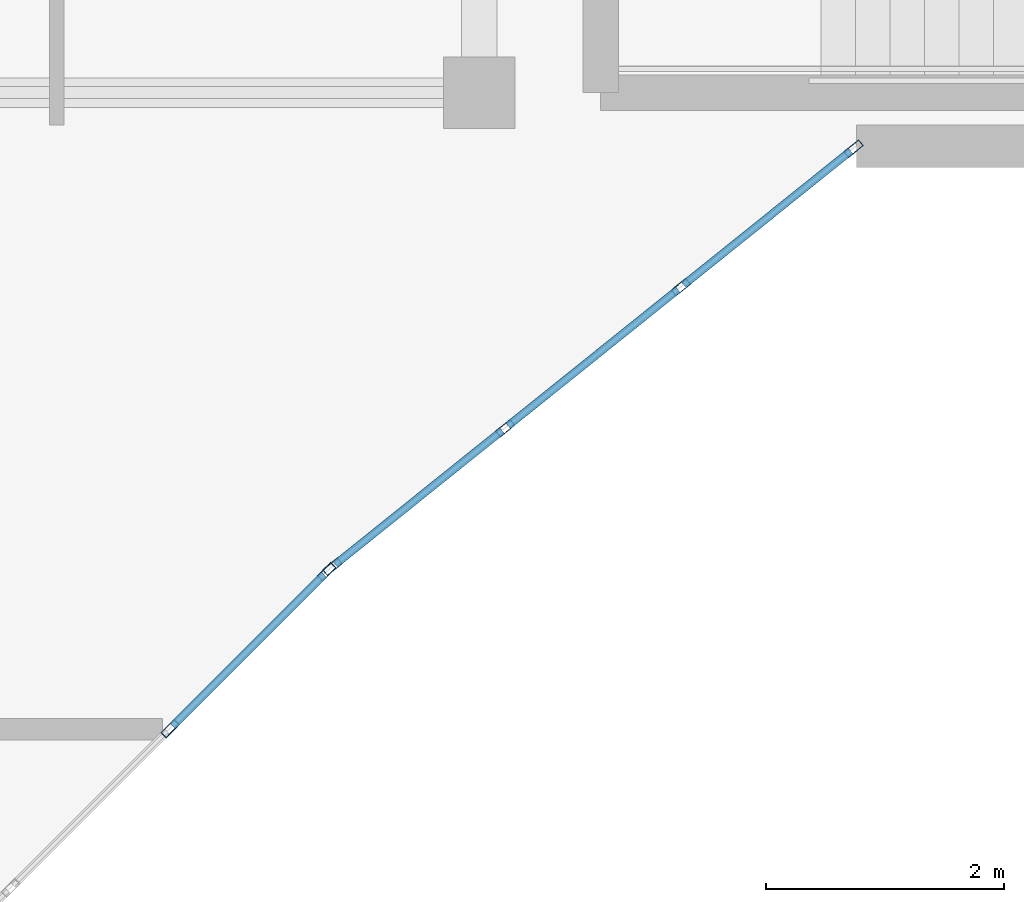
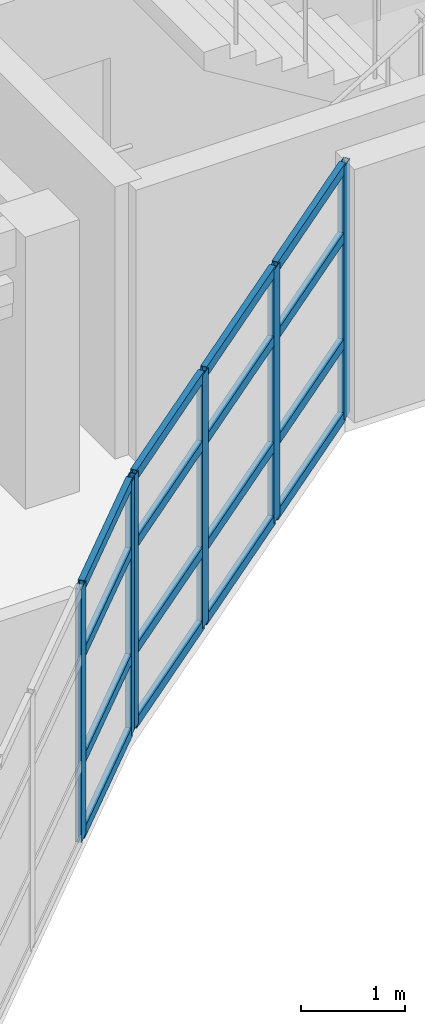
# One storey, part 15 of 79: 22 members, 2 elements without a shape of their own.
"""IFC4 building model written with IfcOpenShell, lengths in metres."""

from ifc_helpers import new_model, si_unit, direction, frame, origin, origin_2d, place, context, subcontext, project, spatial, hollow_rectangle, extrude, material, layer, layer_set, material_profile, profile_set, type_object, element, aggregate, save


model = new_model("IFC4")

# Units and contexts
model_context = context("Model", 3, precision=1e-05, world=origin(), true_north=direction((0.0, 1.0)))
body_context = subcontext(model_context, "Body", "Model", "MODEL_VIEW")
ifc_project = project(units=[si_unit("LENGTHUNIT", "METRE"), si_unit("AREAUNIT", "SQUARE_METRE"), si_unit("VOLUMEUNIT", "CUBIC_METRE"), si_unit("PLANEANGLEUNIT", "RADIAN"), si_unit("MASSUNIT", "GRAM", prefix="KILO")], contexts=[model_context])

# Site, building, storey
site_placement = place(None, origin())
site = spatial("IfcSite", under=ifc_project, at=site_placement, CompositionType="ELEMENT")
building_placement = place(site_placement, origin())
building = spatial("IfcBuilding", under=site, at=building_placement, Name="Keldmere Railside Commons", CompositionType="ELEMENT")
storey_placement = place(building_placement, frame((0.0, 0.0, 10.56005859375)))
storey = spatial("IfcBuildingStorey", under=building, at=storey_placement, Name="L03", CompositionType="ELEMENT", Elevation=10.56005859375)

# Curtain wall, members
ifc_material = material(Name="Thermally Broken Aluminium", Category="aluminium")
ifc_layer_1 = layer(ifc_material, 0.159912109375, Name="Court Chord Wintergarden CW 5400x2850")
ifc_layer_set_1 = layer_set([ifc_layer_1], Name="Thermally Broken Aluminium")
curtain_wall_type_1 = type_object("IfcCurtainWallType", Name="Court Chord Wintergarden CW 5400x2850", PredefinedType="NOTDEFINED", material=ifc_layer_set_1)
curtain_wall_1_placement = place(storey_placement, origin())
curtain_wall_1 = element("IfcCurtainWall", 1, at=curtain_wall_1_placement, inside=storey, type_object=curtain_wall_type_1, Name="CW-13 CW-L03-044", PredefinedType="NOTDEFINED")
ifc_material_profile_1 = material_profile(ifc_material, hollow_rectangle(XDim=0.06494140625, YDim=0.159912109375, WallThickness=0.00390625, at=origin_2d()), Name="ALU-MULL-65x160")
ifc_profile_set_1 = profile_set([ifc_material_profile_1], Name="Thermally Broken Aluminium")
member_type_1 = type_object("IfcMemberType", Name="Unitised Curtain Wall Mullion 65x160", PredefinedType="MULLION", material=ifc_profile_set_1)
member_1_placement = place(storey_placement, frame((71.547119140625, 96.423095703125, 0.0), z_axis=(0.0, 0.0, 1.0), x_axis=(0.707106781187, -0.707106781187, 0.0)))
member_1 = element("IfcMember", 2, at=member_1_placement, type_object=member_type_1, Name="CW-13 mullion 1", PredefinedType="MULLION", context=body_context, shape_type="SweptSolid", body=[
    extrude(hollow_rectangle(XDim=0.06494140625, YDim=0.159912109375, WallThickness=0.00390625, at=origin_2d()), origin(), (0.0, 0.0, 1.0), 2.97998046875),
])
member_2_placement = place(storey_placement, frame((70.2314453125, 95.107421875, 0.0), z_axis=(0.0, 0.0, 1.0), x_axis=(0.707106781187, -0.707106781187, 0.0)))
member_2 = element("IfcMember", 3, at=member_2_placement, type_object=member_type_1, Name="CW-13 mullion 2", PredefinedType="MULLION", context=body_context, shape_type="SweptSolid", body=[
    extrude(hollow_rectangle(XDim=0.06494140625, YDim=0.159912109375, WallThickness=0.00390625, at=origin_2d()), origin(), (0.0, 0.0, 1.0), 2.97998046875),
])

ifc_layer_2 = layer(ifc_material, 0.159912109375, Name="Court Chord Wintergarden CW 4800x2850")
ifc_layer_set_2 = layer_set([ifc_layer_2], Name="Thermally Broken Aluminium")
curtain_wall_type_2 = type_object("IfcCurtainWallType", Name="Court Chord Wintergarden CW 4800x2850", PredefinedType="NOTDEFINED", material=ifc_layer_set_2)
curtain_wall_2_placement = place(storey_placement, origin())
curtain_wall_2 = element("IfcCurtainWall", 4, at=curtain_wall_2_placement, inside=storey, type_object=curtain_wall_type_2, Name="CW-12 CW-L03-045", PredefinedType="NOTDEFINED")
member_3_placement = place(storey_placement, frame((75.974609375, 99.979736328125, 0.0), z_axis=(0.0, 0.0, 1.0), x_axis=(0.625768080915, -0.780009172323, 0.0)))
member_3 = element("IfcMember", 5, at=member_3_placement, type_object=member_type_1, Name="CW-12 mullion 1", PredefinedType="MULLION", context=body_context, shape_type="SweptSolid", body=[
    extrude(hollow_rectangle(XDim=0.06494140625, YDim=0.159912109375, WallThickness=0.00390625, at=origin_2d()), origin(), (0.0, 0.0, 1.0), 2.97998046875),
])
member_4_placement = place(storey_placement, frame((74.5234375, 98.8154296875, 0.0), z_axis=(0.0, 0.0, 1.0), x_axis=(0.625768080915, -0.780009172323, 0.0)))
member_4 = element("IfcMember", 6, at=member_4_placement, type_object=member_type_1, Name="CW-12 mullion 2", PredefinedType="MULLION", context=body_context, shape_type="SweptSolid", body=[
    extrude(hollow_rectangle(XDim=0.06494140625, YDim=0.159912109375, WallThickness=0.00390625, at=origin_2d()), origin(), (0.0, 0.0, 1.0), 2.97998046875),
])
member_5_placement = place(storey_placement, frame((73.046630859375, 97.630615234375, 0.0), z_axis=(0.0, 0.0, 1.0), x_axis=(0.625768080915, -0.780009172323, 0.0)))
member_5 = element("IfcMember", 7, at=member_5_placement, type_object=member_type_1, Name="CW-12 mullion 3", PredefinedType="MULLION", context=body_context, shape_type="SweptSolid", body=[
    extrude(hollow_rectangle(XDim=0.06494140625, YDim=0.159912109375, WallThickness=0.00390625, at=origin_2d()), origin(), (0.0, 0.0, 1.0), 2.97998046875),
])
member_6_placement = place(storey_placement, frame((71.595458984375, 96.46630859375, 0.0), z_axis=(0.0, 0.0, 1.0), x_axis=(0.625768080915, -0.780009172323, 0.0)))
member_6 = element("IfcMember", 8, at=member_6_placement, type_object=member_type_1, Name="CW-12 mullion 4", PredefinedType="MULLION", context=body_context, shape_type="SweptSolid", body=[
    extrude(hollow_rectangle(XDim=0.06494140625, YDim=0.159912109375, WallThickness=0.00390625, at=origin_2d()), origin(), (0.0, 0.0, 1.0), 2.97998046875),
])

# Member
ifc_material_profile_2 = material_profile(ifc_material, hollow_rectangle(XDim=0.06494140625, YDim=0.1201171875, WallThickness=0.00390625, at=origin_2d()), Name="ALU-TRAN-65x120")
ifc_profile_set_2 = profile_set([ifc_material_profile_2], Name="Thermally Broken Aluminium")
member_type_2 = type_object("IfcMemberType", Name="Unitised Curtain Wall Transom 65x120", PredefinedType="USERDEFINED", material=ifc_profile_set_2)
member_7_placement = place(storey_placement, frame((71.52392578125, 96.400146484375, 0.032470703125), z_axis=(-0.707038793419, -0.707174762418, 0.0), x_axis=(0.707174762418, -0.707038793419, 0.0)))
member_7 = element("IfcMember", 9, at=member_7_placement, type_object=member_type_2, Name="CW-13 transom 1.1", ObjectType="TRANSOM", PredefinedType="USERDEFINED", context=body_context, shape_type="SweptSolid", body=[
    extrude(hollow_rectangle(XDim=0.06494140625, YDim=0.1201171875, WallThickness=0.00390625, at=origin_2d()), origin(), (0.0, 0.0, 1.0), 1.795654296875),
])

member_8_placement = place(storey_placement, frame((71.52392578125, 96.400146484375, 0.89990234375), z_axis=(-0.707038793419, -0.707174762418, 0.0), x_axis=(0.707174762418, -0.707038793419, 0.0)))
member_8 = element("IfcMember", 10, at=member_8_placement, type_object=member_type_2, Name="CW-13 transom 1.2", ObjectType="TRANSOM", PredefinedType="USERDEFINED", context=body_context, shape_type="SweptSolid", body=[
    extrude(hollow_rectangle(XDim=0.06494140625, YDim=0.1201171875, WallThickness=0.00390625, at=origin_2d()), origin(), (0.0, 0.0, 1.0), 1.795654296875),
])

member_9_placement = place(storey_placement, frame((71.52392578125, 96.400146484375, 2.14990234375), z_axis=(-0.707038793419, -0.707174762418, 0.0), x_axis=(0.707174762418, -0.707038793419, 0.0)))
member_9 = element("IfcMember", 11, at=member_9_placement, type_object=member_type_2, Name="CW-13 transom 1.3", ObjectType="TRANSOM", PredefinedType="USERDEFINED", context=body_context, shape_type="SweptSolid", body=[
    extrude(hollow_rectangle(XDim=0.06494140625, YDim=0.1201171875, WallThickness=0.00390625, at=origin_2d()), origin(), (0.0, 0.0, 1.0), 1.795654296875),
])

member_10_placement = place(storey_placement, frame((71.52392578125, 96.400146484375, 2.947509765625), z_axis=(-0.707038793419, -0.707174762418, 0.0), x_axis=(0.707174762418, -0.707038793419, 0.0)))
member_10 = element("IfcMember", 12, at=member_10_placement, type_object=member_type_2, Name="CW-13 transom 1.4", ObjectType="TRANSOM", PredefinedType="USERDEFINED", context=body_context, shape_type="SweptSolid", body=[
    extrude(hollow_rectangle(XDim=0.06494140625, YDim=0.1201171875, WallThickness=0.00390625, at=origin_2d()), origin(), (0.0, 0.0, 1.0), 1.795654296875),
])

aggregate(curtain_wall_1, [member_1, member_2, member_7, member_8, member_9, member_10])

member_11_placement = place(storey_placement, frame((75.94921875, 99.959228515625, 0.032470703125), z_axis=(-0.780045694992, -0.625722553313, 0.0), x_axis=(0.625722553313, -0.780045694992, 0.0)))
member_11 = element("IfcMember", 13, at=member_11_placement, type_object=member_type_2, Name="CW-12 transom 1.1", ObjectType="TRANSOM", PredefinedType="USERDEFINED", context=body_context, shape_type="SweptSolid", body=[
    extrude(hollow_rectangle(XDim=0.06494140625, YDim=0.1201171875, WallThickness=0.00390625, at=origin_2d()), origin(), (0.0, 0.0, 1.0), 1.795654296875),
])

member_12_placement = place(storey_placement, frame((75.94921875, 99.959228515625, 0.89990234375), z_axis=(-0.780045694992, -0.625722553313, 0.0), x_axis=(0.625722553313, -0.780045694992, 0.0)))
member_12 = element("IfcMember", 14, at=member_12_placement, type_object=member_type_2, Name="CW-12 transom 1.2", ObjectType="TRANSOM", PredefinedType="USERDEFINED", context=body_context, shape_type="SweptSolid", body=[
    extrude(hollow_rectangle(XDim=0.06494140625, YDim=0.1201171875, WallThickness=0.00390625, at=origin_2d()), origin(), (0.0, 0.0, 1.0), 1.795654296875),
])

member_13_placement = place(storey_placement, frame((75.94921875, 99.959228515625, 2.14990234375), z_axis=(-0.780045694992, -0.625722553313, 0.0), x_axis=(0.625722553313, -0.780045694992, 0.0)))
member_13 = element("IfcMember", 15, at=member_13_placement, type_object=member_type_2, Name="CW-12 transom 1.3", ObjectType="TRANSOM", PredefinedType="USERDEFINED", context=body_context, shape_type="SweptSolid", body=[
    extrude(hollow_rectangle(XDim=0.06494140625, YDim=0.1201171875, WallThickness=0.00390625, at=origin_2d()), origin(), (0.0, 0.0, 1.0), 1.795654296875),
])

member_14_placement = place(storey_placement, frame((75.94921875, 99.959228515625, 2.947509765625), z_axis=(-0.780045694992, -0.625722553313, 0.0), x_axis=(0.625722553313, -0.780045694992, 0.0)))
member_14 = element("IfcMember", 16, at=member_14_placement, type_object=member_type_2, Name="CW-12 transom 1.4", ObjectType="TRANSOM", PredefinedType="USERDEFINED", context=body_context, shape_type="SweptSolid", body=[
    extrude(hollow_rectangle(XDim=0.06494140625, YDim=0.1201171875, WallThickness=0.00390625, at=origin_2d()), origin(), (0.0, 0.0, 1.0), 1.795654296875),
])

member_15_placement = place(storey_placement, frame((74.498046875, 98.794921875, 0.032470703125), z_axis=(-0.78007338409, -0.625688033635, 0.0), x_axis=(0.625688033635, -0.78007338409, 0.0)))
member_15 = element("IfcMember", 17, at=member_15_placement, type_object=member_type_2, Name="CW-12 transom 2.1", ObjectType="TRANSOM", PredefinedType="USERDEFINED", context=body_context, shape_type="SweptSolid", body=[
    extrude(hollow_rectangle(XDim=0.06494140625, YDim=0.1201171875, WallThickness=0.00390625, at=origin_2d()), origin(), (0.0, 0.0, 1.0), 1.828125),
])

member_16_placement = place(storey_placement, frame((74.498046875, 98.794921875, 0.89990234375), z_axis=(-0.78007338409, -0.625688033635, 0.0), x_axis=(0.625688033635, -0.78007338409, 0.0)))
member_16 = element("IfcMember", 18, at=member_16_placement, type_object=member_type_2, Name="CW-12 transom 2.2", ObjectType="TRANSOM", PredefinedType="USERDEFINED", context=body_context, shape_type="SweptSolid", body=[
    extrude(hollow_rectangle(XDim=0.06494140625, YDim=0.1201171875, WallThickness=0.00390625, at=origin_2d()), origin(), (0.0, 0.0, 1.0), 1.828125),
])

member_17_placement = place(storey_placement, frame((74.498046875, 98.794921875, 2.14990234375), z_axis=(-0.78007338409, -0.625688033635, 0.0), x_axis=(0.625688033635, -0.78007338409, 0.0)))
member_17 = element("IfcMember", 19, at=member_17_placement, type_object=member_type_2, Name="CW-12 transom 2.3", ObjectType="TRANSOM", PredefinedType="USERDEFINED", context=body_context, shape_type="SweptSolid", body=[
    extrude(hollow_rectangle(XDim=0.06494140625, YDim=0.1201171875, WallThickness=0.00390625, at=origin_2d()), origin(), (0.0, 0.0, 1.0), 1.828125),
])

member_18_placement = place(storey_placement, frame((74.498046875, 98.794921875, 2.947509765625), z_axis=(-0.78007338409, -0.625688033635, 0.0), x_axis=(0.625688033635, -0.78007338409, 0.0)))
member_18 = element("IfcMember", 20, at=member_18_placement, type_object=member_type_2, Name="CW-12 transom 2.4", ObjectType="TRANSOM", PredefinedType="USERDEFINED", context=body_context, shape_type="SweptSolid", body=[
    extrude(hollow_rectangle(XDim=0.06494140625, YDim=0.1201171875, WallThickness=0.00390625, at=origin_2d()), origin(), (0.0, 0.0, 1.0), 1.828125),
])

member_19_placement = place(storey_placement, frame((73.021240234375, 97.6103515625, 0.032470703125), z_axis=(-0.779979331565, -0.625805275091, 0.0), x_axis=(0.625805275091, -0.779979331565, 0.0)))
member_19 = element("IfcMember", 21, at=member_19_placement, type_object=member_type_2, Name="CW-12 transom 3.1", ObjectType="TRANSOM", PredefinedType="USERDEFINED", context=body_context, shape_type="SweptSolid", body=[
    extrude(hollow_rectangle(XDim=0.06494140625, YDim=0.1201171875, WallThickness=0.00390625, at=origin_2d()), origin(), (0.0, 0.0, 1.0), 1.795654296875),
])

member_20_placement = place(storey_placement, frame((73.021240234375, 97.6103515625, 0.89990234375), z_axis=(-0.779979331565, -0.625805275091, 0.0), x_axis=(0.625805275091, -0.779979331565, 0.0)))
member_20 = element("IfcMember", 22, at=member_20_placement, type_object=member_type_2, Name="CW-12 transom 3.2", ObjectType="TRANSOM", PredefinedType="USERDEFINED", context=body_context, shape_type="SweptSolid", body=[
    extrude(hollow_rectangle(XDim=0.06494140625, YDim=0.1201171875, WallThickness=0.00390625, at=origin_2d()), origin(), (0.0, 0.0, 1.0), 1.795654296875),
])

member_21_placement = place(storey_placement, frame((73.021240234375, 97.6103515625, 2.14990234375), z_axis=(-0.779979331565, -0.625805275091, 0.0), x_axis=(0.625805275091, -0.779979331565, 0.0)))
member_21 = element("IfcMember", 23, at=member_21_placement, type_object=member_type_2, Name="CW-12 transom 3.3", ObjectType="TRANSOM", PredefinedType="USERDEFINED", context=body_context, shape_type="SweptSolid", body=[
    extrude(hollow_rectangle(XDim=0.06494140625, YDim=0.1201171875, WallThickness=0.00390625, at=origin_2d()), origin(), (0.0, 0.0, 1.0), 1.795654296875),
])

member_22_placement = place(storey_placement, frame((73.021240234375, 97.6103515625, 2.947509765625), z_axis=(-0.779979331565, -0.625805275091, 0.0), x_axis=(0.625805275091, -0.779979331565, 0.0)))
member_22 = element("IfcMember", 24, at=member_22_placement, type_object=member_type_2, Name="CW-12 transom 3.4", ObjectType="TRANSOM", PredefinedType="USERDEFINED", context=body_context, shape_type="SweptSolid", body=[
    extrude(hollow_rectangle(XDim=0.06494140625, YDim=0.1201171875, WallThickness=0.00390625, at=origin_2d()), origin(), (0.0, 0.0, 1.0), 1.795654296875),
])

aggregate(curtain_wall_2, [member_3, member_4, member_5, member_6, member_11, member_12, member_13, member_14, member_15, member_16, member_17, member_18, member_19, member_20, member_21, member_22])

save(model, "model.ifc")
